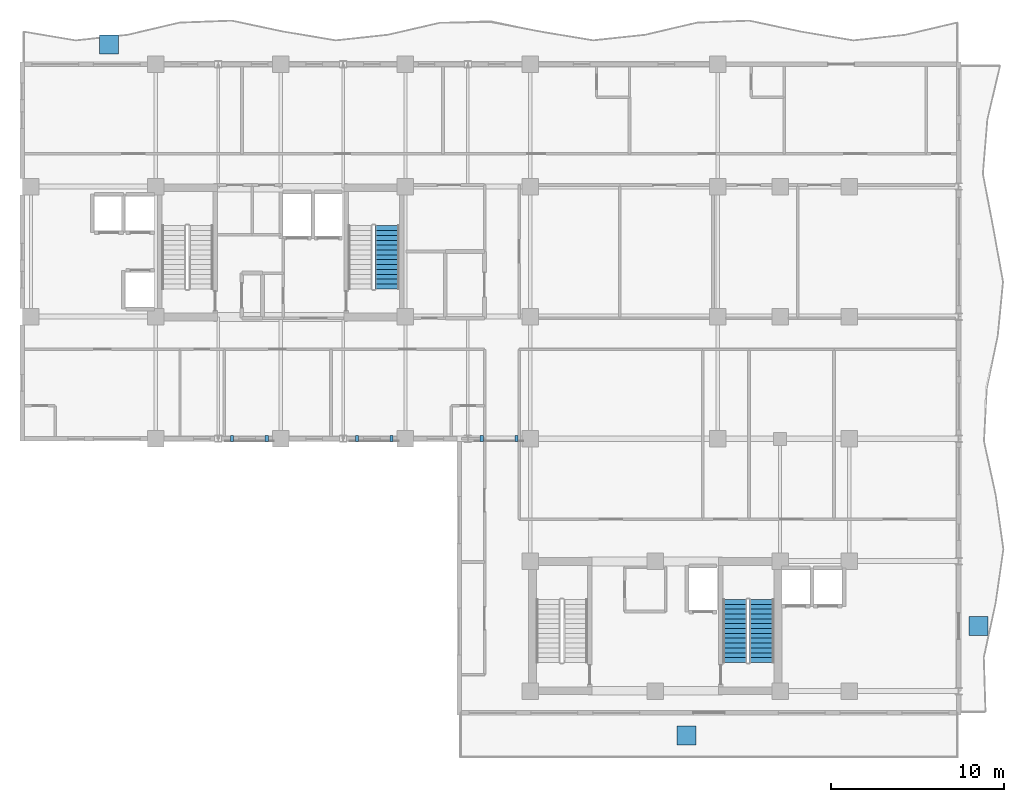
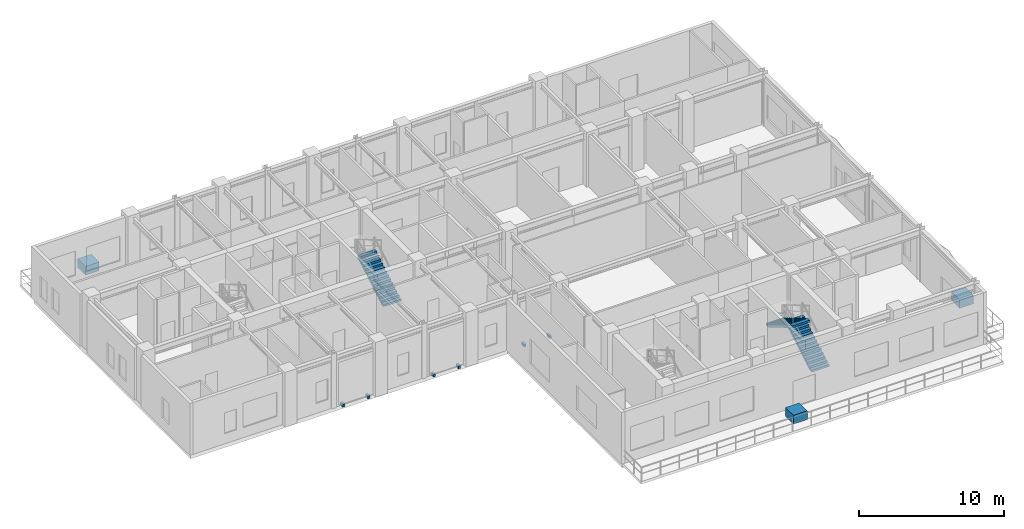
# One storey, part 11 of 14: 9 discrete accessories, 3 stair flights, 2 elements without a shape of their own.
"""IFC4 building model written with IfcOpenShell, lengths in metres."""

from ifc_helpers import new_model, si_unit, direction, frame, origin, origin_2d, place, context, subcontext, project, spatial, polyline, rectangle, outline, extrude, source, transform, mapped, material, type_object, element, aggregate, save


model = new_model("IFC4")

# Units and contexts
model_context = context("Model", 3, precision=1e-05, world=origin(), true_north=direction((0.0, 1.0)))
body_context = subcontext(model_context, "Body", "Model", "MODEL_VIEW")
ifc_project = project(units=[si_unit("LENGTHUNIT", "METRE"), si_unit("AREAUNIT", "SQUARE_METRE"), si_unit("VOLUMEUNIT", "CUBIC_METRE"), si_unit("PLANEANGLEUNIT", "RADIAN"), si_unit("MASSUNIT", "GRAM", prefix="KILO")], contexts=[model_context])

# Site, building, storey
site_placement = place(None, origin())
site = spatial("IfcSite", under=ifc_project, at=site_placement, CompositionType="ELEMENT")
building_placement = place(site_placement, origin())
building = spatial("IfcBuilding", under=site, at=building_placement, Name="Kaliganga Portal Commons", CompositionType="ELEMENT")
storey_placement = place(building_placement, frame((0.0, 0.0, 197.199951171875)))
storey = spatial("IfcBuildingStorey", under=building, at=storey_placement, Name="L50", CompositionType="ELEMENT", Elevation=197.199951171875)

# Stair, stair flight
ifc_material_1 = material(Name="Concrete C40/50", Category="concrete")
stair_type = type_object("IfcStairType", Name="ST-CORE-DOGLEG", PredefinedType="HALF_TURN_STAIR", material=ifc_material_1)
stair_1_placement = place(storey_placement, origin())
stair_1 = element("IfcStair", 1, at=stair_1_placement, inside=storey, type_object=stair_type, Name="L50 Protected Exit Stair ST-A2", PredefinedType="HALF_TURN_STAIR")
stair_flight_type = type_object("IfcStairFlightType", Name="STF-RC-1400", PredefinedType="STRAIGHT", material=ifc_material_1)
stair_flight_1_placement = place(storey_placement, frame((27.75, 30.25, 0.0), z_axis=(0.0, 0.0, 1.0), x_axis=(0.0, 1.0, 0.0)))
stair_flight_1 = element("IfcStairFlight", 2, at=stair_flight_1_placement, type_object=stair_flight_type, Name="ST-A2 flight 1", NumberOfRisers=14, NumberOfTreads=13, PredefinedType="STRAIGHT", RiserHeight=0.164285714, TreadLength=0.28, context=body_context, shape_type="SweptSolid", body=[
    extrude(outline(polyline([(0.0, 0.0), (0.0, 0.164306640625), (0.280029296875, 0.164306640625), (0.280029296875, 0.32861328125), (0.56005859375, 0.32861328125), (0.56005859375, 0.492919921875), (0.840087890625, 0.492919921875), (0.840087890625, 0.6572265625), (1.1201171875, 0.6572265625), (1.1201171875, 0.821533203125), (1.39990234375, 0.821533203125), (1.39990234375, 0.985595703125), (1.679931640625, 0.985595703125), (1.679931640625, 1.14990234375), (1.9599609375, 1.14990234375), (1.9599609375, 1.314208984375), (2.239990234375, 1.314208984375), (2.239990234375, 1.478515625), (2.52001953125, 1.478515625), (2.52001953125, 1.642822265625), (2.800048828125, 1.642822265625), (2.800048828125, 1.80712890625), (3.080078125, 1.80712890625), (3.080078125, 1.971435546875), (3.360107421875, 1.971435546875), (3.360107421875, 2.1357421875), (3.639892578125, 2.1357421875), (3.639892578125, 2.300048828125), (3.639892578125, 1.9619140625), (0.296142578125, 0.0), (0.0, 0.0)])), frame((0.0, 0.699951171875, 0.0), z_axis=(0.0, -1.0, 0.0), x_axis=(1.0, 0.0, 0.0)), (0.0, 0.0, 1.0), 1.39990234375),
])
aggregate(stair_1, [stair_flight_1])

# Stair, stair flights
stair_2_placement = place(storey_placement, origin())
stair_2 = element("IfcStair", 3, at=stair_2_placement, inside=storey, type_object=stair_type, Name="L50 Protected Exit Stair ST-B2", PredefinedType="HALF_TURN_STAIR")
stair_flight_2_placement = place(storey_placement, frame((49.35009765625, 8.699951171875, 0.0), z_axis=(0.0, 0.0, 1.0), x_axis=(0.0, 1.0, 0.0)))
stair_flight_2 = element("IfcStairFlight", 4, at=stair_flight_2_placement, type_object=stair_flight_type, Name="ST-B2 flight 1", NumberOfRisers=14, NumberOfTreads=13, PredefinedType="STRAIGHT", RiserHeight=0.164285714, TreadLength=0.28, context=body_context, shape_type="SweptSolid", body=[
    extrude(outline(polyline([(0.0, 0.0), (0.0, 0.164306640625), (0.280029296875, 0.164306640625), (0.280029296875, 0.32861328125), (0.56005859375, 0.32861328125), (0.56005859375, 0.492919921875), (0.840087890625, 0.492919921875), (0.840087890625, 0.6572265625), (1.1201171875, 0.6572265625), (1.1201171875, 0.821533203125), (1.39990234375, 0.821533203125), (1.39990234375, 0.985595703125), (1.679931640625, 0.985595703125), (1.679931640625, 1.14990234375), (1.9599609375, 1.14990234375), (1.9599609375, 1.314208984375), (2.239990234375, 1.314208984375), (2.239990234375, 1.478515625), (2.52001953125, 1.478515625), (2.52001953125, 1.642822265625), (2.800048828125, 1.642822265625), (2.800048828125, 1.80712890625), (3.080078125, 1.80712890625), (3.080078125, 1.971435546875), (3.360107421875, 1.971435546875), (3.360107421875, 2.1357421875), (3.639892578125, 2.1357421875), (3.639892578125, 2.300048828125), (3.639892578125, 1.9619140625), (0.296142578125, 0.0), (0.0, 0.0)])), frame((0.0, 0.699951171875, 0.0), z_axis=(0.0, -1.0, 0.0), x_axis=(1.0, 0.0, 0.0)), (0.0, 0.0, 1.0), 1.39990234375),
])
stair_flight_3_placement = place(storey_placement, frame((47.800048828125, 12.340087890625, 2.300048828125), z_axis=(0.0, 0.0, 1.0), x_axis=(0.0, -1.0, 0.0)))
stair_flight_3 = element("IfcStairFlight", 5, at=stair_flight_3_placement, type_object=stair_flight_type, Name="ST-B2 flight 2", NumberOfRisers=14, NumberOfTreads=13, PredefinedType="STRAIGHT", RiserHeight=0.164285714, TreadLength=0.28, context=body_context, shape_type="SweptSolid", body=[
    extrude(outline(polyline([(0.0, 0.0), (0.0, 0.164306640625), (0.280029296875, 0.164306640625), (0.280029296875, 0.32861328125), (0.56005859375, 0.32861328125), (0.56005859375, 0.492919921875), (0.840087890625, 0.492919921875), (0.840087890625, 0.6572265625), (1.1201171875, 0.6572265625), (1.1201171875, 0.821533203125), (1.39990234375, 0.821533203125), (1.39990234375, 0.985595703125), (1.679931640625, 0.985595703125), (1.679931640625, 1.14990234375), (1.9599609375, 1.14990234375), (1.9599609375, 1.314208984375), (2.239990234375, 1.314208984375), (2.239990234375, 1.478515625), (2.52001953125, 1.478515625), (2.52001953125, 1.642822265625), (2.800048828125, 1.642822265625), (2.800048828125, 1.80712890625), (3.080078125, 1.80712890625), (3.080078125, 1.971435546875), (3.360107421875, 1.971435546875), (3.360107421875, 2.1357421875), (3.639892578125, 2.1357421875), (3.639892578125, 2.300048828125), (3.639892578125, 1.9619140625), (0.296142578125, 0.0), (0.0, 0.0)])), frame((0.0, 0.699951171875, 0.0), z_axis=(0.0, -1.0, 0.0), x_axis=(1.0, 0.0, 0.0)), (0.0, 0.0, 1.0), 1.39990234375),
])
aggregate(stair_2, [stair_flight_2, stair_flight_3])

# Discrete accessories
ifc_material_2 = material(Name="Precast concrete C40/50", Category="concrete")
discrete_accessory_type_1 = type_object("IfcDiscreteAccessoryType", Name="DAC-PLANTER-RC", PredefinedType="USERDEFINED", material=ifc_material_2)
shared_shape_1 = source(origin(), body_context, "Body", "SweptSolid", [
    extrude(rectangle(XDim=1.10009765625, YDim=1.10009765625, at=origin_2d()), origin(), (0.0, 0.0, 1.0), 0.719970703125),
])
for number, where, z_axis, x_axis, name in (
    (6, (11.699951171875, 44.35009765625, 0.0), (0.0, 0.0, 1.0), (1.0, 0.0, 0.0), "Structural Tree Planter L50 balc_north"),
    (7, (61.85009765625, 10.800048828125, 0.0), (0.0, 0.0, 1.0), (1.0, 0.0, 0.0), "Structural Tree Planter L50 balc_east"),
    (8, (45.0, 4.5, 0.0), (0.0, 0.0, 1.0), (1.0, 0.0, 0.0), "Sky-Garden Tree Planter L50 skygarden_l50"),
):
    element("IfcDiscreteAccessory", number, at=place(storey_placement, frame(where, z_axis=z_axis, x_axis=x_axis)), inside=storey, type_object=discrete_accessory_type_1, Name=name, ObjectType="PLANTER", PredefinedType="USERDEFINED", context=body_context, shape_type="MappedRepresentation", body=[
        mapped(shared_shape_1, transform((0.0, 0.0, 0.0), x_axis=(1.0, 0.0, 0.0), y_axis=(0.0, 1.0, 0.0), z_axis=(0.0, 0.0, 1.0), scale=1.0)),
    ])
ifc_material_3 = material(Name="Structural steel S355J2", Category="steel")
discrete_accessory_type_2 = type_object("IfcDiscreteAccessoryType", Name="DAC-BRK-SCR", PredefinedType="BRACKET", material=ifc_material_3)
shared_shape_2 = source(origin(), body_context, "Body", "SweptSolid", [
    extrude(rectangle(XDim=0.179931640625, YDim=0.360107421875, at=origin_2d()), origin(), (0.0, 0.0, 1.0), 0.219970703125),
])
for number, where, z_axis, x_axis, name in (
    (9, (18.800048828125, 21.6201171875, -0.18994140625), (0.0, 0.0, 1.0), (1.0, 0.0, 0.0), "Solar Screen Outrigger Bracket L50-S1-1"),
    (10, (20.800048828125, 21.6201171875, -0.18994140625), (0.0, 0.0, 1.0), (1.0, 0.0, 0.0), "Solar Screen Outrigger Bracket L50-S1-2"),
    (11, (26.0, 21.6201171875, -0.18994140625), (0.0, 0.0, 1.0), (1.0, 0.0, 0.0), "Solar Screen Outrigger Bracket L50-S2-1"),
    (12, (28.0, 21.6201171875, -0.18994140625), (0.0, 0.0, 1.0), (1.0, 0.0, 0.0), "Solar Screen Outrigger Bracket L50-S2-2"),
    (13, (33.199951171875, 21.6201171875, -0.18994140625), (0.0, 0.0, 1.0), (1.0, 0.0, 0.0), "Solar Screen Outrigger Bracket L50-S3-1"),
    (14, (35.199951171875, 21.6201171875, -0.18994140625), (0.0, 0.0, 1.0), (1.0, 0.0, 0.0), "Solar Screen Outrigger Bracket L50-S3-2"),
):
    element("IfcDiscreteAccessory", number, at=place(storey_placement, frame(where, z_axis=z_axis, x_axis=x_axis)), inside=storey, type_object=discrete_accessory_type_2, Name=name, PredefinedType="BRACKET", context=body_context, shape_type="MappedRepresentation", body=[
        mapped(shared_shape_2, transform((0.0, 0.0, 0.0), x_axis=(1.0, 0.0, 0.0), y_axis=(0.0, 1.0, 0.0), z_axis=(0.0, 0.0, 1.0), scale=1.0)),
    ])

save(model, "model.ifc")
